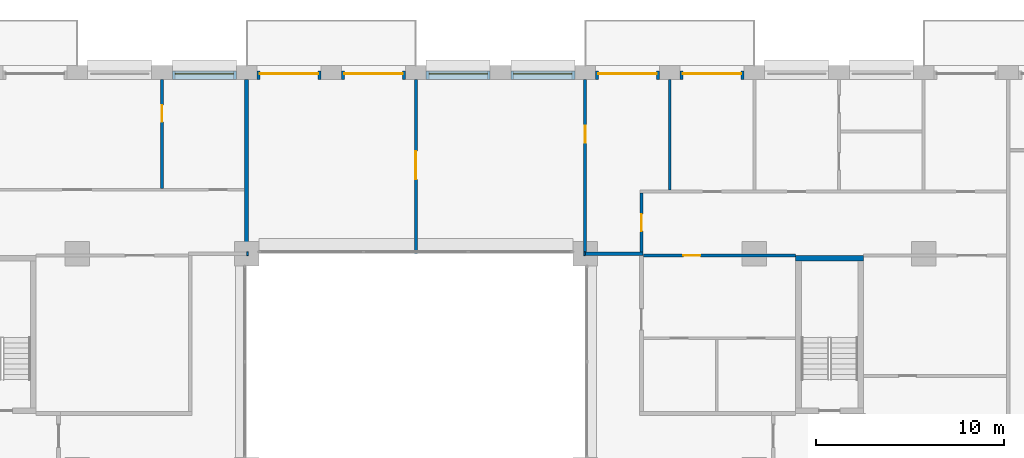
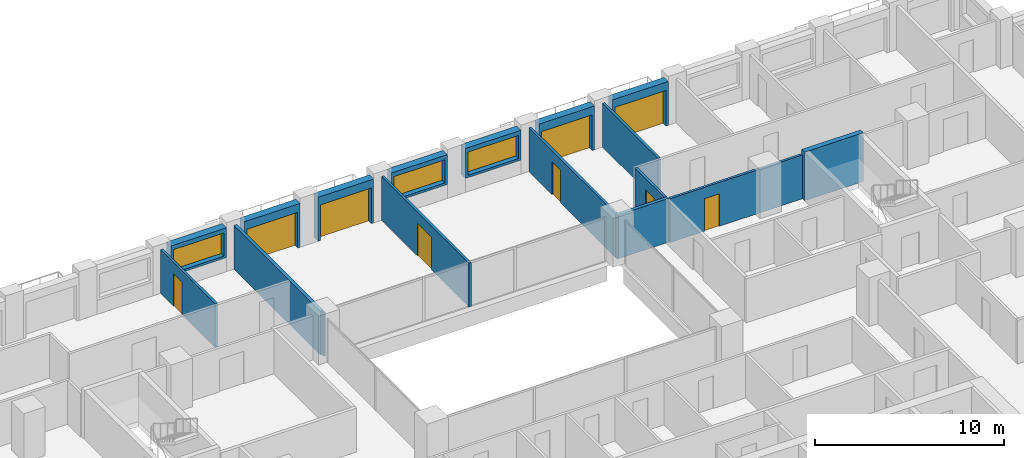
# One storey, part 13 of 16: 18 walls, 9 doors, 3 windows, 12 openings.
"""IFC4 building model written with IfcOpenShell, lengths in metres."""

from ifc_helpers import new_model, si_unit, direction, frame, frame_2d, origin, place, context, subcontext, project, spatial, rectangle, extrude, material, layer, layer_set, type_object, element, fill, save


model = new_model("IFC4")

# Units and contexts
model_context = context("Model", 3, precision=1e-05, world=origin(), true_north=direction((0.0, 1.0)))
body_context = subcontext(model_context, "Body", "Model", "MODEL_VIEW")
ifc_project = project(units=[si_unit("LENGTHUNIT", "METRE"), si_unit("AREAUNIT", "SQUARE_METRE"), si_unit("VOLUMEUNIT", "CUBIC_METRE"), si_unit("PLANEANGLEUNIT", "RADIAN"), si_unit("MASSUNIT", "GRAM", prefix="KILO")], contexts=[model_context])

# Site, building, storey
site_placement = place(None, origin())
site = spatial("IfcSite", under=ifc_project, at=site_placement, CompositionType="ELEMENT")
building_placement = place(site_placement, origin())
building = spatial("IfcBuilding", under=site, at=building_placement, Name="Brigalow Station Residences", CompositionType="ELEMENT")
storey_placement = place(building_placement, frame((0.0, 0.0, 108.75)))
storey = spatial("IfcBuildingStorey", under=building, at=storey_placement, Name="L31", CompositionType="ELEMENT", Elevation=108.75)

# Wall, opening, door
ifc_material_1 = material(Name="Clay brick masonry", Category="masonry")
ifc_layer_1 = layer(ifc_material_1, 0.449951171875)
ifc_layer_set_1 = layer_set([ifc_layer_1], Name="BRICK INFILL WALL 450")
wall_type_1 = type_object("IfcWallType", Name="BRICK INFILL WALL 450", PredefinedType="SOLIDWALL", material=ifc_layer_set_1)
wall_1_placement = place(storey_placement, frame((53.449951171875, 44.97509765625, 0.0), z_axis=(0.0, 0.0, 1.0), x_axis=(-1.0, 0.0, 0.0)))
wall_1 = element("IfcWall", 1, at=wall_1_placement, inside=storey, type_object=wall_type_1, Name="L31/ewall/W-L31-27", PredefinedType="SOLIDWALL", context=body_context, shape_type="SweptSolid", body=[
    extrude(rectangle(XDim=3.39990234375, YDim=0.449951171875, at=frame_2d((1.699951171875, 0.0))), origin(), (0.0, 0.0, 1.0), 2.830078125),
])
opening_1_placement = place(wall_1_placement, frame((0.14990234375, 0.0, 0.0)))
opening_1 = element("IfcOpeningElement", 2, at=opening_1_placement, cuts=wall_1, Name="Opening D-B3100", PredefinedType="OPENING", context=body_context, shape_type="SweptSolid", body=[
    extrude(rectangle(XDim=3.10009765625, YDim=2.300048828125, at=frame_2d((1.550048828125, 1.14990234375))), frame((0.0, 0.23486328125, 0.0), z_axis=(0.0, -1.0, 0.0), x_axis=(1.0, 0.0, 0.0)), (0.0, 0.0, 1.0), 0.469970703125),
])
ifc_material_2 = material(Name="Anodised aluminium frame with double glazing", Category="aluminium")
door_type_1 = type_object("IfcDoorType", Name="BALCONY SLIDING DOOR 3100x2300", OperationType="SLIDING_TO_LEFT", PredefinedType="DOOR", material=ifc_material_2)
door_1_placement = place(opening_1_placement, origin())
door_1 = element("IfcDoor", 3, at=door_1_placement, inside=storey, type_object=door_type_1, Name="L31/balcony-door/W-L31-27", OperationType="SLIDING_TO_LEFT", OverallHeight=2.300048828125, OverallWidth=3.10009765625, PredefinedType="DOOR", context=body_context, shape_type="SweptSolid", body=[
    extrude(rectangle(XDim=3.10009765625, YDim=2.300048828125, at=frame_2d((1.550048828125, 1.14990234375))), frame((0.0, -0.06982421875, 0.0), z_axis=(0.0, -1.0, 0.0), x_axis=(1.0, 0.0, 0.0)), (0.0, 0.0, 1.0), 0.050048828125),
])
fill(opening_1, door_1)

wall_2_placement = place(storey_placement, frame((48.949951171875, 44.97509765625, 0.0), z_axis=(0.0, 0.0, 1.0), x_axis=(-1.0, 0.0, 0.0)))
wall_2 = element("IfcWall", 4, at=wall_2_placement, inside=storey, type_object=wall_type_1, Name="L31/ewall/W-L31-28", PredefinedType="SOLIDWALL", context=body_context, shape_type="SweptSolid", body=[
    extrude(rectangle(XDim=3.39990234375, YDim=0.449951171875, at=frame_2d((1.699951171875, 0.0))), origin(), (0.0, 0.0, 1.0), 2.830078125),
])
opening_2_placement = place(wall_2_placement, frame((0.14990234375, 0.0, 0.0)))
opening_2 = element("IfcOpeningElement", 5, at=opening_2_placement, cuts=wall_2, Name="Opening D-B3100", PredefinedType="OPENING", context=body_context, shape_type="SweptSolid", body=[
    extrude(rectangle(XDim=3.10009765625, YDim=2.300048828125, at=frame_2d((1.550048828125, 1.14990234375))), frame((0.0, 0.23486328125, 0.0), z_axis=(0.0, -1.0, 0.0), x_axis=(1.0, 0.0, 0.0)), (0.0, 0.0, 1.0), 0.469970703125),
])
door_2_placement = place(opening_2_placement, origin())
door_2 = element("IfcDoor", 6, at=door_2_placement, inside=storey, type_object=door_type_1, Name="L31/balcony-door/W-L31-28", OperationType="SLIDING_TO_LEFT", OverallHeight=2.300048828125, OverallWidth=3.10009765625, PredefinedType="DOOR", context=body_context, shape_type="SweptSolid", body=[
    extrude(rectangle(XDim=3.10009765625, YDim=2.300048828125, at=frame_2d((1.550048828125, 1.14990234375))), frame((0.0, -0.06982421875, 0.0), z_axis=(0.0, -1.0, 0.0), x_axis=(1.0, 0.0, 0.0)), (0.0, 0.0, 1.0), 0.050048828125),
])
fill(opening_2, door_2)

# Wall, opening, window
wall_3_placement = place(storey_placement, frame((44.449951171875, 44.97509765625, 0.89990234375), z_axis=(0.0, 0.0, 1.0), x_axis=(-1.0, 0.0, 0.0)))
wall_3 = element("IfcWall", 7, at=wall_3_placement, inside=storey, type_object=wall_type_1, Name="L31/ewall/W-L31-29", PredefinedType="SOLIDWALL", context=body_context, shape_type="SweptSolid", body=[
    extrude(rectangle(XDim=3.39990234375, YDim=0.449951171875, at=frame_2d((1.699951171875, 0.0))), origin(), (0.0, 0.0, 1.0), 1.93017578125),
])
opening_3_placement = place(wall_3_placement, frame((0.14990234375, 0.0, 0.14990234375)))
opening_3 = element("IfcOpeningElement", 8, at=opening_3_placement, cuts=wall_3, Name="Opening WT-8", PredefinedType="OPENING", context=body_context, shape_type="SweptSolid", body=[
    extrude(rectangle(XDim=3.10009765625, YDim=1.5, at=frame_2d((1.550048828125, 0.75))), frame((0.0, 0.23486328125, 0.0), z_axis=(0.0, -1.0, 0.0), x_axis=(1.0, 0.0, 0.0)), (0.0, 0.0, 1.0), 0.469970703125),
])
ifc_material_3 = material(Name="Anodised aluminium frame with double glazing", Category="aluminium")
window_type = type_object("IfcWindowType", Name="WINDOW 3100x1500", PartitioningType="SINGLE_PANEL", PredefinedType="WINDOW", material=ifc_material_3)
window_1_placement = place(opening_3_placement, origin())
window_1 = element("IfcWindow", 9, at=window_1_placement, inside=storey, type_object=window_type, Name="L31/window/W-L31-29", OverallHeight=1.5, OverallWidth=3.10009765625, PartitioningType="SINGLE_PANEL", PredefinedType="WINDOW", context=body_context, shape_type="SweptSolid", body=[
    extrude(rectangle(XDim=3.10009765625, YDim=1.5, at=frame_2d((1.550048828125, 0.75))), frame((0.0, -0.06494140625, 0.0), z_axis=(0.0, -1.0, 0.0), x_axis=(1.0, 0.0, 0.0)), (0.0, 0.0, 1.0), 0.06005859375),
])
fill(opening_3, window_1)

wall_4_placement = place(storey_placement, frame((39.949951171875, 44.97509765625, 0.89990234375), z_axis=(0.0, 0.0, 1.0), x_axis=(-1.0, 0.0, 0.0)))
wall_4 = element("IfcWall", 10, at=wall_4_placement, inside=storey, type_object=wall_type_1, Name="L31/ewall/W-L31-30", PredefinedType="SOLIDWALL", context=body_context, shape_type="SweptSolid", body=[
    extrude(rectangle(XDim=3.39990234375, YDim=0.449951171875, at=frame_2d((1.699951171875, 0.0))), origin(), (0.0, 0.0, 1.0), 1.93017578125),
])
opening_4_placement = place(wall_4_placement, frame((0.14990234375, 0.0, 0.14990234375)))
opening_4 = element("IfcOpeningElement", 11, at=opening_4_placement, cuts=wall_4, Name="Opening WT-8", PredefinedType="OPENING", context=body_context, shape_type="SweptSolid", body=[
    extrude(rectangle(XDim=3.10009765625, YDim=1.5, at=frame_2d((1.550048828125, 0.75))), frame((0.0, 0.23486328125, 0.0), z_axis=(0.0, -1.0, 0.0), x_axis=(1.0, 0.0, 0.0)), (0.0, 0.0, 1.0), 0.469970703125),
])
window_2_placement = place(opening_4_placement, origin())
window_2 = element("IfcWindow", 12, at=window_2_placement, inside=storey, type_object=window_type, Name="L31/window/W-L31-30", OverallHeight=1.5, OverallWidth=3.10009765625, PartitioningType="SINGLE_PANEL", PredefinedType="WINDOW", context=body_context, shape_type="SweptSolid", body=[
    extrude(rectangle(XDim=3.10009765625, YDim=1.5, at=frame_2d((1.550048828125, 0.75))), frame((0.0, -0.06494140625, 0.0), z_axis=(0.0, -1.0, 0.0), x_axis=(1.0, 0.0, 0.0)), (0.0, 0.0, 1.0), 0.06005859375),
])
fill(opening_4, window_2)

# Wall, opening, door
wall_5_placement = place(storey_placement, frame((35.449951171875, 44.97509765625, 0.0), z_axis=(0.0, 0.0, 1.0), x_axis=(-1.0, 0.0, 0.0)))
wall_5 = element("IfcWall", 13, at=wall_5_placement, inside=storey, type_object=wall_type_1, Name="L31/ewall/W-L31-31", PredefinedType="SOLIDWALL", context=body_context, shape_type="SweptSolid", body=[
    extrude(rectangle(XDim=3.39990234375, YDim=0.449951171875, at=frame_2d((1.699951171875, 0.0))), origin(), (0.0, 0.0, 1.0), 2.830078125),
])
opening_5_placement = place(wall_5_placement, frame((0.14990234375, 0.0, 0.0)))
opening_5 = element("IfcOpeningElement", 14, at=opening_5_placement, cuts=wall_5, Name="Opening D-B3100", PredefinedType="OPENING", context=body_context, shape_type="SweptSolid", body=[
    extrude(rectangle(XDim=3.10009765625, YDim=2.300048828125, at=frame_2d((1.550048828125, 1.14990234375))), frame((0.0, 0.23486328125, 0.0), z_axis=(0.0, -1.0, 0.0), x_axis=(1.0, 0.0, 0.0)), (0.0, 0.0, 1.0), 0.469970703125),
])
door_3_placement = place(opening_5_placement, origin())
door_3 = element("IfcDoor", 15, at=door_3_placement, inside=storey, type_object=door_type_1, Name="L31/balcony-door/W-L31-31", OperationType="SLIDING_TO_LEFT", OverallHeight=2.300048828125, OverallWidth=3.10009765625, PredefinedType="DOOR", context=body_context, shape_type="SweptSolid", body=[
    extrude(rectangle(XDim=3.10009765625, YDim=2.300048828125, at=frame_2d((1.550048828125, 1.14990234375))), frame((0.0, -0.06982421875, 0.0), z_axis=(0.0, -1.0, 0.0), x_axis=(1.0, 0.0, 0.0)), (0.0, 0.0, 1.0), 0.050048828125),
])
fill(opening_5, door_3)

wall_6_placement = place(storey_placement, frame((30.949951171875, 44.97509765625, 0.0), z_axis=(0.0, 0.0, 1.0), x_axis=(-1.0, 0.0, 0.0)))
wall_6 = element("IfcWall", 16, at=wall_6_placement, inside=storey, type_object=wall_type_1, Name="L31/ewall/W-L31-32", PredefinedType="SOLIDWALL", context=body_context, shape_type="SweptSolid", body=[
    extrude(rectangle(XDim=3.39990234375, YDim=0.449951171875, at=frame_2d((1.699951171875, 0.0))), origin(), (0.0, 0.0, 1.0), 2.830078125),
])
opening_6_placement = place(wall_6_placement, frame((0.14990234375, 0.0, 0.0)))
opening_6 = element("IfcOpeningElement", 17, at=opening_6_placement, cuts=wall_6, Name="Opening D-B3100", PredefinedType="OPENING", context=body_context, shape_type="SweptSolid", body=[
    extrude(rectangle(XDim=3.10009765625, YDim=2.300048828125, at=frame_2d((1.550048828125, 1.14990234375))), frame((0.0, 0.23486328125, 0.0), z_axis=(0.0, -1.0, 0.0), x_axis=(1.0, 0.0, 0.0)), (0.0, 0.0, 1.0), 0.469970703125),
])
door_4_placement = place(opening_6_placement, origin())
door_4 = element("IfcDoor", 18, at=door_4_placement, inside=storey, type_object=door_type_1, Name="L31/balcony-door/W-L31-32", OperationType="SLIDING_TO_LEFT", OverallHeight=2.300048828125, OverallWidth=3.10009765625, PredefinedType="DOOR", context=body_context, shape_type="SweptSolid", body=[
    extrude(rectangle(XDim=3.10009765625, YDim=2.300048828125, at=frame_2d((1.550048828125, 1.14990234375))), frame((0.0, -0.06982421875, 0.0), z_axis=(0.0, -1.0, 0.0), x_axis=(1.0, 0.0, 0.0)), (0.0, 0.0, 1.0), 0.050048828125),
])
fill(opening_6, door_4)

# Wall, opening, window
wall_7_placement = place(storey_placement, frame((26.449951171875, 44.97509765625, 0.89990234375), z_axis=(0.0, 0.0, 1.0), x_axis=(-1.0, 0.0, 0.0)))
wall_7 = element("IfcWall", 19, at=wall_7_placement, inside=storey, type_object=wall_type_1, Name="L31/ewall/W-L31-33", PredefinedType="SOLIDWALL", context=body_context, shape_type="SweptSolid", body=[
    extrude(rectangle(XDim=3.39990234375, YDim=0.449951171875, at=frame_2d((1.699951171875, 0.0))), origin(), (0.0, 0.0, 1.0), 1.93017578125),
])
opening_7_placement = place(wall_7_placement, frame((0.14990234375, 0.0, 0.14990234375)))
opening_7 = element("IfcOpeningElement", 20, at=opening_7_placement, cuts=wall_7, Name="Opening WT-8", PredefinedType="OPENING", context=body_context, shape_type="SweptSolid", body=[
    extrude(rectangle(XDim=3.10009765625, YDim=1.5, at=frame_2d((1.550048828125, 0.75))), frame((0.0, 0.23486328125, 0.0), z_axis=(0.0, -1.0, 0.0), x_axis=(1.0, 0.0, 0.0)), (0.0, 0.0, 1.0), 0.469970703125),
])
window_3_placement = place(opening_7_placement, origin())
window_3 = element("IfcWindow", 21, at=window_3_placement, inside=storey, type_object=window_type, Name="L31/window/W-L31-33", OverallHeight=1.5, OverallWidth=3.10009765625, PartitioningType="SINGLE_PANEL", PredefinedType="WINDOW", context=body_context, shape_type="SweptSolid", body=[
    extrude(rectangle(XDim=3.10009765625, YDim=1.5, at=frame_2d((1.550048828125, 0.75))), frame((0.0, -0.06494140625, 0.0), z_axis=(0.0, -1.0, 0.0), x_axis=(1.0, 0.0, 0.0)), (0.0, 0.0, 1.0), 0.06005859375),
])
fill(opening_7, window_3)

# Wall
ifc_material_4 = material(Name="Concrete C65", Category="concrete")
ifc_layer_2 = layer(ifc_material_4, 0.300048828125)
ifc_layer_set_2 = layer_set([ifc_layer_2], Name="CORE SHEAR WALL 300 C65")
wall_type_2 = type_object("IfcWallType", Name="CORE SHEAR WALL 300 C65", PredefinedType="SHEAR", material=ifc_layer_set_2)
wall_8_placement = place(storey_placement, frame((56.199951171875, 35.25, 0.0), z_axis=(0.0, 0.0, 1.0), x_axis=(1.0, 0.0, 0.0)))
element("IfcWall", 22, at=wall_8_placement, inside=storey, type_object=wall_type_2, Name="CORE WALL ST-S3-N L31", PredefinedType="SHEAR", context=body_context, shape_type="SweptSolid", body=[
    extrude(rectangle(XDim=3.60009765625, YDim=0.300048828125, at=frame_2d((1.800048828125, 0.0))), origin(), (0.0, 0.0, 1.0), 3.14990234375),
])

# Wall, opening, door
ifc_material_5 = material(Name="Plasterboard on steel stud partition", Category="steel")
ifc_layer_3 = layer(ifc_material_5, 0.14990234375)
ifc_layer_set_3 = layer_set([ifc_layer_3], Name="FLAT PARTITION 150")
wall_type_3 = type_object("IfcWallType", Name="FLAT PARTITION 150", PredefinedType="PARTITIONING", material=ifc_layer_set_3)
wall_9_placement = place(storey_placement, frame((48.10009765625, 35.39990234375, 0.0), z_axis=(0.0, 0.0, 1.0), x_axis=(1.0, 0.0, 0.0)))
wall_9 = element("IfcWall", 23, at=wall_9_placement, inside=storey, type_object=wall_type_3, Name="PW-2C26", PredefinedType="PARTITIONING", context=body_context, shape_type="SweptSolid", body=[
    extrude(rectangle(XDim=8.099853515625, YDim=0.14990234375, at=frame_2d((4.0498046875, 0.0))), origin(), (0.0, 0.0, 1.0), 2.830078125),
])
opening_8_placement = place(wall_9_placement, frame((2.125, 0.0, 0.0)))
opening_8 = element("IfcOpeningElement", 24, at=opening_8_placement, cuts=wall_9, Name="Opening D-2C20", PredefinedType="OPENING", context=body_context, shape_type="SweptSolid", body=[
    extrude(rectangle(XDim=0.89990234375, YDim=2.10009765625, at=frame_2d((0.449951171875, 1.050048828125))), frame((0.0, 0.0849609375, 0.0), z_axis=(0.0, -1.0, 0.0), x_axis=(1.0, 0.0, 0.0)), (0.0, 0.0, 1.0), 0.169921875),
])
ifc_material_6 = material(Name="Solid-core timber door leaf", Category="wood")
door_type_2 = type_object("IfcDoorType", Name="INTERNAL DOOR 900 x 2100", OperationType="SINGLE_SWING_LEFT", PredefinedType="DOOR", material=ifc_material_6)
door_5_placement = place(opening_8_placement, frame((0.89990234375, 0.0, 0.0), z_axis=(0.0, 0.0, 1.0), x_axis=(-1.0, 0.0, 0.0)))
door_5 = element("IfcDoor", 25, at=door_5_placement, inside=storey, type_object=door_type_2, Name="D-2C20", OperationType="SINGLE_SWING_RIGHT", OverallHeight=2.10009765625, OverallWidth=0.89990234375, PredefinedType="DOOR", context=body_context, shape_type="SweptSolid", body=[
    extrude(rectangle(XDim=0.89990234375, YDim=2.10009765625, at=frame_2d((0.449951171875, 1.050048828125))), frame((0.0, 0.02490234375, 0.0), z_axis=(0.0, -1.0, 0.0), x_axis=(1.0, 0.0, 0.0)), (0.0, 0.0, 1.0), 0.050048828125),
])
fill(opening_8, door_5)

wall_10_placement = place(storey_placement, frame((48.0, 35.60009765625, 0.0), z_axis=(0.0, 0.0, 1.0), x_axis=(0.0, 1.0, 0.0)))
wall_10 = element("IfcWall", 26, at=wall_10_placement, inside=storey, type_object=wall_type_3, Name="PW-2C42", PredefinedType="PARTITIONING", context=body_context, shape_type="SweptSolid", body=[
    extrude(rectangle(XDim=3.125, YDim=0.14990234375, at=frame_2d((1.5625, 0.0))), origin(), (0.0, 0.0, 1.0), 2.830078125),
])
opening_9_placement = place(wall_10_placement, frame((1.10009765625, 0.0, 0.0)))
opening_9 = element("IfcOpeningElement", 27, at=opening_9_placement, cuts=wall_10, Name="Opening D-2C21", PredefinedType="OPENING", context=body_context, shape_type="SweptSolid", body=[
    extrude(rectangle(XDim=0.89990234375, YDim=2.10009765625, at=frame_2d((0.449951171875, 1.050048828125))), frame((0.0, 0.0849609375, 0.0), z_axis=(0.0, -1.0, 0.0), x_axis=(1.0, 0.0, 0.0)), (0.0, 0.0, 1.0), 0.169921875),
])
door_6_placement = place(opening_9_placement, origin())
door_6 = element("IfcDoor", 28, at=door_6_placement, inside=storey, type_object=door_type_2, Name="D-2C21", OperationType="SINGLE_SWING_LEFT", OverallHeight=2.10009765625, OverallWidth=0.89990234375, PredefinedType="DOOR", context=body_context, shape_type="SweptSolid", body=[
    extrude(rectangle(XDim=0.89990234375, YDim=2.10009765625, at=frame_2d((0.449951171875, 1.050048828125))), frame((0.0, 0.02490234375, 0.0), z_axis=(0.0, -1.0, 0.0), x_axis=(1.0, 0.0, 0.0)), (0.0, 0.0, 1.0), 0.050048828125),
])
fill(opening_9, door_6)

wall_11_placement = place(storey_placement, frame((22.5, 38.97509765625, 0.0), z_axis=(0.0, 0.0, 1.0), x_axis=(0.0, 1.0, 0.0)))
wall_11 = element("IfcWall", 29, at=wall_11_placement, inside=storey, type_object=wall_type_3, Name="PW-2C51", PredefinedType="PARTITIONING", context=body_context, shape_type="SweptSolid", body=[
    extrude(rectangle(XDim=5.77490234375, YDim=0.14990234375, at=frame_2d((2.887451171875, 0.0))), origin(), (0.0, 0.0, 1.0), 2.830078125),
])
opening_10_placement = place(wall_11_placement, frame((3.52490234375, 0.0, 0.0)))
opening_10 = element("IfcOpeningElement", 30, at=opening_10_placement, cuts=wall_11, Name="Opening D-2C14", PredefinedType="OPENING", context=body_context, shape_type="SweptSolid", body=[
    extrude(rectangle(XDim=0.89990234375, YDim=2.10009765625, at=frame_2d((0.449951171875, 1.050048828125))), frame((0.0, 0.0849609375, 0.0), z_axis=(0.0, -1.0, 0.0), x_axis=(1.0, 0.0, 0.0)), (0.0, 0.0, 1.0), 0.169921875),
])
door_7_placement = place(opening_10_placement, frame((0.89990234375, 0.0, 0.0), z_axis=(0.0, 0.0, 1.0), x_axis=(-1.0, 0.0, 0.0)))
door_7 = element("IfcDoor", 31, at=door_7_placement, inside=storey, type_object=door_type_2, Name="D-2C14", OperationType="SINGLE_SWING_LEFT", OverallHeight=2.10009765625, OverallWidth=0.89990234375, PredefinedType="DOOR", context=body_context, shape_type="SweptSolid", body=[
    extrude(rectangle(XDim=0.89990234375, YDim=2.10009765625, at=frame_2d((0.449951171875, 1.050048828125))), frame((0.0, 0.02490234375, 0.0), z_axis=(0.0, -1.0, 0.0), x_axis=(1.0, 0.0, 0.0)), (0.0, 0.0, 1.0), 0.050048828125),
])
fill(opening_10, door_7)

wall_12_placement = place(storey_placement, frame((36.0, 35.5, 0.0), z_axis=(0.0, 0.0, 1.0), x_axis=(0.0, 1.0, 0.0)))
wall_12 = element("IfcWall", 32, at=wall_12_placement, inside=storey, type_object=wall_type_3, Name="PW-2C52", PredefinedType="PARTITIONING", context=body_context, shape_type="SweptSolid", body=[
    extrude(rectangle(XDim=9.25, YDim=0.14990234375, at=frame_2d((4.625, 0.0))), origin(), (0.0, 0.0, 1.0), 2.830078125),
])
opening_11_placement = place(wall_12_placement, frame((3.949951171875, 0.0, 0.0)))
opening_11 = element("IfcOpeningElement", 33, at=opening_11_placement, cuts=wall_12, Name="Opening D-2C23", PredefinedType="OPENING", context=body_context, shape_type="SweptSolid", body=[
    extrude(rectangle(XDim=1.5, YDim=2.10009765625, at=frame_2d((0.75, 1.050048828125))), frame((0.0, 0.0849609375, 0.0), z_axis=(0.0, -1.0, 0.0), x_axis=(1.0, 0.0, 0.0)), (0.0, 0.0, 1.0), 0.169921875),
])
ifc_material_7 = material(Name="Solid-core timber door leaf", Category="wood")
door_type_3 = type_object("IfcDoorType", Name="INTERNAL DOUBLE DOOR 1500 x 2100", OperationType="DOUBLE_DOOR_SINGLE_SWING", PredefinedType="DOOR", material=ifc_material_7)
door_8_placement = place(opening_11_placement, frame((1.5, 0.0, 0.0), z_axis=(0.0, 0.0, 1.0), x_axis=(-1.0, 0.0, 0.0)))
door_8 = element("IfcDoor", 34, at=door_8_placement, inside=storey, type_object=door_type_3, Name="D-2C23", OperationType="DOUBLE_DOOR_SINGLE_SWING", OverallHeight=2.10009765625, OverallWidth=1.5, PredefinedType="DOOR", context=body_context, shape_type="SweptSolid", body=[
    extrude(rectangle(XDim=1.5, YDim=2.10009765625, at=frame_2d((0.75, 1.050048828125))), frame((0.0, 0.02490234375, 0.0), z_axis=(0.0, -1.0, 0.0), x_axis=(1.0, 0.0, 0.0)), (0.0, 0.0, 1.0), 0.050048828125),
])
fill(opening_11, door_8)

wall_13_placement = place(storey_placement, frame((45.0, 35.60009765625, 0.0), z_axis=(0.0, 0.0, 1.0), x_axis=(0.0, 1.0, 0.0)))
wall_13 = element("IfcWall", 35, at=wall_13_placement, inside=storey, type_object=wall_type_3, Name="PW-2C53", PredefinedType="PARTITIONING", context=body_context, shape_type="SweptSolid", body=[
    extrude(rectangle(XDim=9.14990234375, YDim=0.14990234375, at=frame_2d((4.574951171875, 0.0))), origin(), (0.0, 0.0, 1.0), 2.830078125),
])
opening_12_placement = place(wall_13_placement, frame((5.800048828125, 0.0, 0.0)))
opening_12 = element("IfcOpeningElement", 36, at=opening_12_placement, cuts=wall_13, Name="Opening D-2C22", PredefinedType="OPENING", context=body_context, shape_type="SweptSolid", body=[
    extrude(rectangle(XDim=0.89990234375, YDim=2.10009765625, at=frame_2d((0.449951171875, 1.050048828125))), frame((0.0, 0.0849609375, 0.0), z_axis=(0.0, -1.0, 0.0), x_axis=(1.0, 0.0, 0.0)), (0.0, 0.0, 1.0), 0.169921875),
])
door_9_placement = place(opening_12_placement, frame((0.89990234375, 0.0, 0.0), z_axis=(0.0, 0.0, 1.0), x_axis=(-1.0, 0.0, 0.0)))
door_9 = element("IfcDoor", 37, at=door_9_placement, inside=storey, type_object=door_type_2, Name="D-2C22", OperationType="SINGLE_SWING_LEFT", OverallHeight=2.10009765625, OverallWidth=0.89990234375, PredefinedType="DOOR", context=body_context, shape_type="SweptSolid", body=[
    extrude(rectangle(XDim=0.89990234375, YDim=2.10009765625, at=frame_2d((0.449951171875, 1.050048828125))), frame((0.0, 0.02490234375, 0.0), z_axis=(0.0, -1.0, 0.0), x_axis=(1.0, 0.0, 0.0)), (0.0, 0.0, 1.0), 0.050048828125),
])
fill(opening_12, door_9)

# Walls
wall_14_placement = place(storey_placement, frame((49.5, 38.875, 0.0), z_axis=(0.0, 0.0, 1.0), x_axis=(0.0, 1.0, 0.0)))
element("IfcWall", 38, at=wall_14_placement, inside=storey, type_object=wall_type_3, Name="PW-2C54", PredefinedType="PARTITIONING", context=body_context, shape_type="SweptSolid", body=[
    extrude(rectangle(XDim=5.875, YDim=0.14990234375, at=frame_2d((2.9375, 0.0))), origin(), (0.0, 0.0, 1.0), 2.830078125),
])
ifc_material_8 = material(Name="Plasterboard on steel stud partition", Category="steel")
ifc_layer_4 = layer(ifc_material_8, 0.199951171875)
ifc_layer_set_4 = layer_set([ifc_layer_4], Name="PARTY AND CORRIDOR WALL 200")
wall_type_4 = type_object("IfcWallType", Name="PARTY AND CORRIDOR WALL 200", PredefinedType="PARTITIONING", material=ifc_layer_set_4)
wall_15_placement = place(storey_placement, frame((27.0, 35.5, 0.0), z_axis=(0.0, 0.0, 1.0), x_axis=(1.0, 0.0, 0.0)))
element("IfcWall", 39, at=wall_15_placement, inside=storey, type_object=wall_type_4, Name="PW-2C08", PredefinedType="PARTITIONING", context=body_context, shape_type="SweptSolid", body=[
    extrude(rectangle(XDim=0.10009765625, YDim=0.199951171875, at=frame_2d((0.050048828125, 0.0))), origin(), (0.0, 0.0, 1.0), 2.830078125),
])
wall_16_placement = place(storey_placement, frame((44.925048828125, 35.5, 0.0), z_axis=(0.0, 0.0, 1.0), x_axis=(1.0, 0.0, 0.0)))
element("IfcWall", 40, at=wall_16_placement, inside=storey, type_object=wall_type_4, Name="PW-2C09", PredefinedType="PARTITIONING", context=body_context, shape_type="SweptSolid", body=[
    extrude(rectangle(XDim=0.074951171875, YDim=0.199951171875, at=frame_2d((0.03759765625, 0.0))), origin(), (0.0, 0.0, 1.0), 2.830078125),
])
wall_17_placement = place(storey_placement, frame((45.0, 35.5, 0.0), z_axis=(0.0, 0.0, 1.0), x_axis=(1.0, 0.0, 0.0)))
element("IfcWall", 41, at=wall_17_placement, inside=storey, type_object=wall_type_4, Name="PW-2C10", PredefinedType="PARTITIONING", context=body_context, shape_type="SweptSolid", body=[
    extrude(rectangle(XDim=3.074951171875, YDim=0.199951171875, at=frame_2d((1.53759765625, 0.0))), origin(), (0.0, 0.0, 1.0), 2.830078125),
])
wall_18_placement = place(storey_placement, frame((27.0, 35.60009765625, 0.0), z_axis=(0.0, 0.0, 1.0), x_axis=(0.0, 1.0, 0.0)))
element("IfcWall", 42, at=wall_18_placement, inside=storey, type_object=wall_type_4, Name="PW-2C50", PredefinedType="PARTITIONING", context=body_context, shape_type="SweptSolid", body=[
    extrude(rectangle(XDim=9.14990234375, YDim=0.199951171875, at=frame_2d((4.574951171875, 0.0))), origin(), (0.0, 0.0, 1.0), 2.830078125),
])

save(model, "model.ifc")
